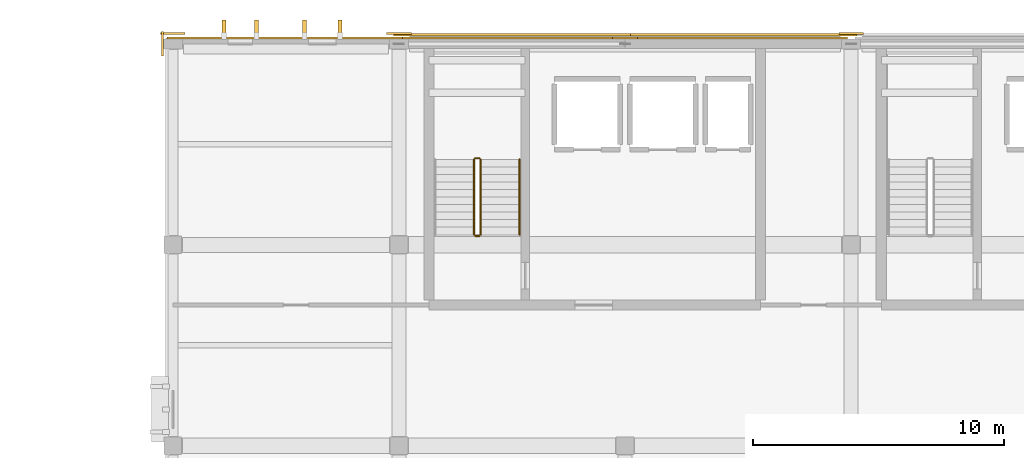
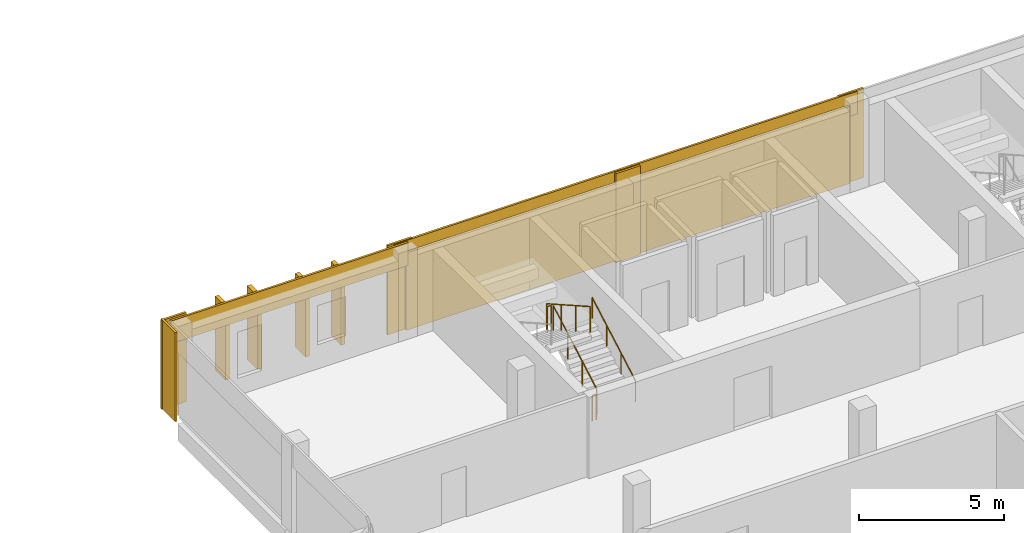
# One storey, part 68 of 73: 10 coverings, 5 railings, 4 shading devices.
"""IFC4 building model written with IfcOpenShell, lengths in metres."""

from ifc_helpers import new_model, si_unit, direction, frame, origin, origin_2d, place, context, subcontext, project, spatial, rectangle, circle, extrude, material, layer, layer_set, type_object, element, save


model = new_model("IFC4")

# Units and contexts
model_context = context("Model", 3, precision=1e-05, world=origin(), true_north=direction((0.0, 1.0)))
body_context = subcontext(model_context, "Body", "Model", "MODEL_VIEW")
ifc_project = project(units=[si_unit("LENGTHUNIT", "METRE"), si_unit("AREAUNIT", "SQUARE_METRE"), si_unit("VOLUMEUNIT", "CUBIC_METRE"), si_unit("PLANEANGLEUNIT", "RADIAN"), si_unit("MASSUNIT", "GRAM", prefix="KILO")], contexts=[model_context])

# Site, building, storey
site_placement = place(None, origin())
site = spatial("IfcSite", under=ifc_project, at=site_placement, CompositionType="ELEMENT")
building_placement = place(site_placement, origin())
building = spatial("IfcBuilding", under=site, at=building_placement, Name="Vervanel Yard Central Library", CompositionType="ELEMENT")
storey_placement = place(building_placement, frame((0.0, 0.0, 12.780029296875)))
storey = spatial("IfcBuildingStorey", under=building, at=storey_placement, Name="L03", CompositionType="ELEMENT", Elevation=12.780029296875)

# Railing
ifc_material_1 = material(Name="Brushed stainless steel AISI 316", Category="steel")
railing_type_1 = type_object("IfcRailingType", Name="Brushed Stainless Stair Handrail 900", PredefinedType="HANDRAIL", material=ifc_material_1)
railing_1_placement = place(storey_placement, frame((49.800048828125, 106.39990234375, 0.169921875)))
element("IfcRailing", 1, at=railing_1_placement, inside=storey, type_object=railing_type_1, Name="L03 ST-01 stair handrail 1", PredefinedType="HANDRAIL", context=body_context, shape_type="SweptSolid", body=[
    extrude(circle(Radius=0.02392578125, at=origin_2d()), frame((0.0, 0.0, 0.8759765625), z_axis=(0.0, 0.870028259722, 0.493001853226), x_axis=(-1.0, 0.0, 0.0)), (0.0, 0.0, 1.0), 3.4482421875),
    extrude(circle(Radius=0.02099609375, at=origin_2d()), origin(), (0.0, 0.0, 1.0), 0.851806640625),
    extrude(circle(Radius=0.02099609375, at=origin_2d()), frame((0.0, 1.0, 0.566650390625)), (0.0, 0.0, 1.0), 0.851806640625),
    extrude(circle(Radius=0.02099609375, at=origin_2d()), frame((0.0, 2.0, 1.13330078125)), (0.0, 0.0, 1.0), 0.851806640625),
    extrude(circle(Radius=0.02099609375, at=origin_2d()), frame((0.0, 3.0, 1.699951171875)), (0.0, 0.0, 1.0), 0.851806640625),
])

# Coverings
ifc_material_2 = material(Name="Precast concrete C45/55", Category="concrete")
ifc_layer = layer(ifc_material_2, 0.0849609375, Category="concrete")
ifc_layer_set = layer_set([ifc_layer], Name="Precast concrete C45/55")
covering_type = type_object("IfcCoveringType", Name="Bush-Hammered Precast Architectural Cladding Panel", PredefinedType="CLADDING", material=ifc_layer_set)
covering_1_placement = place(storey_placement, frame((40.5, 114.22998046875, 2.800048828125), z_axis=(0.0, 0.0, 1.0), x_axis=(1.0, 0.0, 0.0)))
element("IfcCovering", 2, at=covering_1_placement, inside=storey, type_object=covering_type, Name="L03 Precast Concrete Spandrel Cornice EWALL-L03-0044", PredefinedType="CLADDING", context=body_context, shape_type="SweptSolid", body=[
    extrude(rectangle(XDim=9.449951171875, YDim=0.0849609375, at=origin_2d()), origin(), (0.0, 0.0, 1.0), 0.9599609375),
])
for number, where, z_axis, x_axis, name in (
    (3, (36.0, 114.41748046875, 0.0), (0.0, 0.0, 1.0), (1.0, 0.0, 0.0), "L03 Precast Concrete Pier Pilaster EWALL-L03-0044-A"),
    (4, (45.0, 114.41748046875, 0.0), (0.0, 0.0, 1.0), (1.0, 0.0, 0.0), "L03 Precast Concrete Pier Pilaster EWALL-L03-0044-B"),
):
    element("IfcCovering", number, at=place(storey_placement, frame(where, z_axis=z_axis, x_axis=x_axis)), inside=storey, type_object=covering_type, Name=name, PredefinedType="CLADDING", context=body_context, shape_type="SweptSolid", body=[
        extrude(rectangle(XDim=0.97998046875, YDim=0.0849609375, at=origin_2d()), origin(), (0.0, 0.0, 1.0), 3.760009765625),
    ])
covering_2_placement = place(storey_placement, frame((49.5, 114.364990234375, 2.800048828125), z_axis=(0.0, 0.0, 1.0), x_axis=(1.0, 0.0, 0.0)))
element("IfcCovering", 5, at=covering_2_placement, inside=storey, type_object=covering_type, Name="L03 Precast Concrete Spandrel Cornice EWALL-L03-0045", PredefinedType="CLADDING", context=body_context, shape_type="SweptSolid", body=[
    extrude(rectangle(XDim=9.449951171875, YDim=0.0849609375, at=origin_2d()), origin(), (0.0, 0.0, 1.0), 0.9599609375),
])
covering_3_placement = place(storey_placement, frame((54.0, 114.232421875, 0.0), z_axis=(0.0, 0.0, 1.0), x_axis=(1.0, 0.0, 0.0)))
element("IfcCovering", 6, at=covering_3_placement, inside=storey, type_object=covering_type, Name="L03 Precast Concrete Pier Pilaster EWALL-L03-0045-B", PredefinedType="CLADDING", context=body_context, shape_type="SweptSolid", body=[
    extrude(rectangle(XDim=0.97998046875, YDim=0.0849609375, at=origin_2d()), origin(), (0.0, 0.0, 1.0), 3.760009765625),
])
covering_4_placement = place(storey_placement, frame((49.5, 114.232421875, 0.080078125), z_axis=(0.0, 0.0, 1.0), x_axis=(1.0, 0.0, 0.0)))
element("IfcCovering", 7, at=covering_4_placement, inside=storey, type_object=covering_type, Name="L03 Bush-Hammered Precast Cladding EWALL-L03-0045", PredefinedType="CLADDING", context=body_context, shape_type="SweptSolid", body=[
    extrude(rectangle(XDim=8.699951171875, YDim=0.0849609375, at=origin_2d()), origin(), (0.0, 0.0, 1.0), 3.260009765625),
])
covering_5_placement = place(storey_placement, frame((58.5, 114.364990234375, 2.800048828125), z_axis=(0.0, 0.0, 1.0), x_axis=(1.0, 0.0, 0.0)))
element("IfcCovering", 8, at=covering_5_placement, inside=storey, type_object=covering_type, Name="L03 Precast Concrete Spandrel Cornice EWALL-L03-0046", PredefinedType="CLADDING", context=body_context, shape_type="SweptSolid", body=[
    extrude(rectangle(XDim=9.449951171875, YDim=0.0849609375, at=origin_2d()), origin(), (0.0, 0.0, 1.0), 0.9599609375),
])
covering_6_placement = place(storey_placement, frame((63.0, 114.41748046875, 0.0), z_axis=(0.0, 0.0, 1.0), x_axis=(1.0, 0.0, 0.0)))
element("IfcCovering", 9, at=covering_6_placement, inside=storey, type_object=covering_type, Name="L03 Precast Concrete Pier Pilaster EWALL-L03-0046-B", PredefinedType="CLADDING", context=body_context, shape_type="SweptSolid", body=[
    extrude(rectangle(XDim=0.97998046875, YDim=0.0849609375, at=origin_2d()), origin(), (0.0, 0.0, 1.0), 3.760009765625),
])
covering_7_placement = place(storey_placement, frame((58.5, 114.232421875, 0.080078125), z_axis=(0.0, 0.0, 1.0), x_axis=(1.0, 0.0, 0.0)))
element("IfcCovering", 10, at=covering_7_placement, inside=storey, type_object=covering_type, Name="L03 Bush-Hammered Precast Cladding EWALL-L03-0046", PredefinedType="CLADDING", context=body_context, shape_type="SweptSolid", body=[
    extrude(rectangle(XDim=8.699951171875, YDim=0.0849609375, at=origin_2d()), origin(), (0.0, 0.0, 1.0), 3.260009765625),
])
covering_8_placement = place(storey_placement, frame((35.58251953125, 114.0, 0.0), z_axis=(0.0, 0.0, 1.0), x_axis=(0.0, 1.0, 0.0)))
element("IfcCovering", 11, at=covering_8_placement, inside=storey, type_object=covering_type, Name="L03 Precast Concrete Pier Pilaster EWALL-L03-0056-B", PredefinedType="CLADDING", context=body_context, shape_type="SweptSolid", body=[
    extrude(rectangle(XDim=0.97998046875, YDim=0.0849609375, at=origin_2d()), origin(), (0.0, 0.0, 1.0), 3.760009765625),
])

# Railings
ifc_material_3 = material(Name="Galvanized painted steelwork ASTM A500 Grade C", Category="steel")
railing_type_2 = type_object("IfcRailingType", Name="Painted Steel Guardrail 1100", PredefinedType="GUARDRAIL", material=ifc_material_3)
railing_2_placement = place(storey_placement, frame((48.25, 106.39990234375, 0.169921875)))
element("IfcRailing", 12, at=railing_2_placement, inside=storey, type_object=railing_type_2, Name="L03 ST-01 stair guard 1", PredefinedType="GUARDRAIL", context=body_context, shape_type="SweptSolid", body=[
    extrude(circle(Radius=0.02392578125, at=origin_2d()), frame((0.0, 0.0, 1.076171875), z_axis=(0.0, 0.870028259722, 0.493001853226), x_axis=(-1.0, 0.0, 0.0)), (0.0, 0.0, 1.0), 3.4482421875),
    extrude(circle(Radius=0.02099609375, at=origin_2d()), origin(), (0.0, 0.0, 1.0), 1.052001953125),
    extrude(circle(Radius=0.02099609375, at=origin_2d()), frame((0.0, 1.0, 0.566650390625)), (0.0, 0.0, 1.0), 1.052001953125),
    extrude(circle(Radius=0.02099609375, at=origin_2d()), frame((0.0, 2.0, 1.13330078125)), (0.0, 0.0, 1.0), 1.052001953125),
    extrude(circle(Radius=0.02099609375, at=origin_2d()), frame((0.0, 3.0, 1.699951171875)), (0.0, 0.0, 1.0), 1.052001953125),
])
railing_3_placement = place(storey_placement, frame((48.199951171875, 109.449951171875, 1.869873046875)))
element("IfcRailing", 13, at=railing_3_placement, inside=storey, type_object=railing_type_2, Name="L03 ST-01 stair guard 2", PredefinedType="GUARDRAIL", context=body_context, shape_type="SweptSolid", body=[
    extrude(circle(Radius=0.02392578125, at=origin_2d()), frame((0.0, 0.0, 1.076171875), z_axis=(-1.0, 0.0, 0.0), x_axis=(0.0, -1.0, 0.0)), (0.0, 0.0, 1.0), 0.159912109375),
    extrude(circle(Radius=0.02099609375, at=origin_2d()), origin(), (0.0, 0.0, 1.0), 1.052001953125),
    extrude(circle(Radius=0.02099609375, at=origin_2d()), frame((-0.159912109375, 0.0, 0.0)), (0.0, 0.0, 1.0), 1.052001953125),
])
railing_4_placement = place(storey_placement, frame((47.989990234375, 109.39990234375, 2.0400390625)))
element("IfcRailing", 14, at=railing_4_placement, inside=storey, type_object=railing_type_2, Name="L03 ST-01 stair guard 3", PredefinedType="GUARDRAIL", context=body_context, shape_type="SweptSolid", body=[
    extrude(circle(Radius=0.02392578125, at=origin_2d()), frame((0.0, 0.0, 1.076171875), z_axis=(0.0, -0.870028259722, 0.493001853226), x_axis=(1.0, 0.0, 0.0)), (0.0, 0.0, 1.0), 3.4482421875),
    extrude(circle(Radius=0.02099609375, at=origin_2d()), origin(), (0.0, 0.0, 1.0), 1.052001953125),
    extrude(circle(Radius=0.02099609375, at=origin_2d()), frame((0.0, -1.0, 0.566650390625)), (0.0, 0.0, 1.0), 1.052001953125),
    extrude(circle(Radius=0.02099609375, at=origin_2d()), frame((0.0, -2.0, 1.13330078125)), (0.0, 0.0, 1.0), 1.052001953125),
    extrude(circle(Radius=0.02099609375, at=origin_2d()), frame((0.0, -3.0, 1.699951171875)), (0.0, 0.0, 1.0), 1.052001953125),
])
railing_5_placement = place(storey_placement, frame((48.199951171875, 106.35009765625, 0.0)))
element("IfcRailing", 15, at=railing_5_placement, inside=storey, type_object=railing_type_2, Name="L03 ST-01 stair guard 4", PredefinedType="GUARDRAIL", context=body_context, shape_type="SweptSolid", body=[
    extrude(circle(Radius=0.02392578125, at=origin_2d()), frame((0.0, 0.0, 1.076171875), z_axis=(-1.0, 0.0, 0.0), x_axis=(0.0, -1.0, 0.0)), (0.0, 0.0, 1.0), 0.159912109375),
    extrude(circle(Radius=0.02099609375, at=origin_2d()), origin(), (0.0, 0.0, 1.0), 1.052001953125),
    extrude(circle(Radius=0.02099609375, at=origin_2d()), frame((-0.159912109375, 0.0, 0.0)), (0.0, 0.0, 1.0), 1.052001953125),
])

# Shading devices
shading_device_type = type_object("IfcShadingDeviceType", Name="Vertical Precast Solar Fin 160x720x3200", PredefinedType="JALOUSIE", material=ifc_material_2)
for number, where, z_axis, x_axis, name in (
    (16, (38.0400390625, 114.590087890625, 0.474853515625), (0.0, 0.0, 1.0), (1.0, 0.0, 0.0), "L03 Precast Solar Fin 129"),
    (17, (39.320068359375, 114.590087890625, 0.474853515625), (0.0, 0.0, 1.0), (1.0, 0.0, 0.0), "L03 Precast Solar Fin 130"),
    (18, (41.239990234375, 114.590087890625, 0.324951171875), (0.0, 0.0, 1.0), (1.0, 0.0, 0.0), "L03 Precast Solar Fin 131"),
    (19, (42.659912109375, 114.590087890625, 0.324951171875), (0.0, 0.0, 1.0), (1.0, 0.0, 0.0), "L03 Precast Solar Fin 132"),
):
    element("IfcShadingDevice", number, at=place(storey_placement, frame(where, z_axis=z_axis, x_axis=x_axis)), inside=storey, type_object=shading_device_type, Name=name, PredefinedType="JALOUSIE", context=body_context, shape_type="SweptSolid", body=[
        extrude(rectangle(XDim=0.159912109375, YDim=0.719970703125, at=origin_2d()), origin(), (0.0, 0.0, 1.0), 3.10009765625),
    ])

save(model, "model.ifc")
